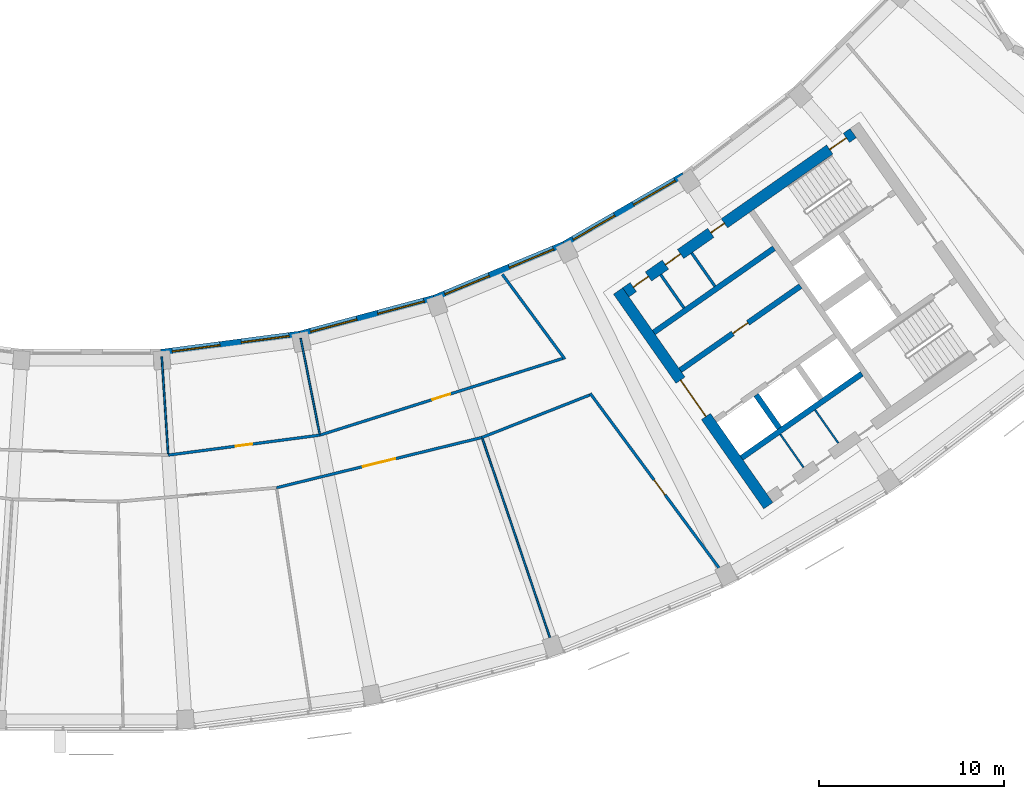
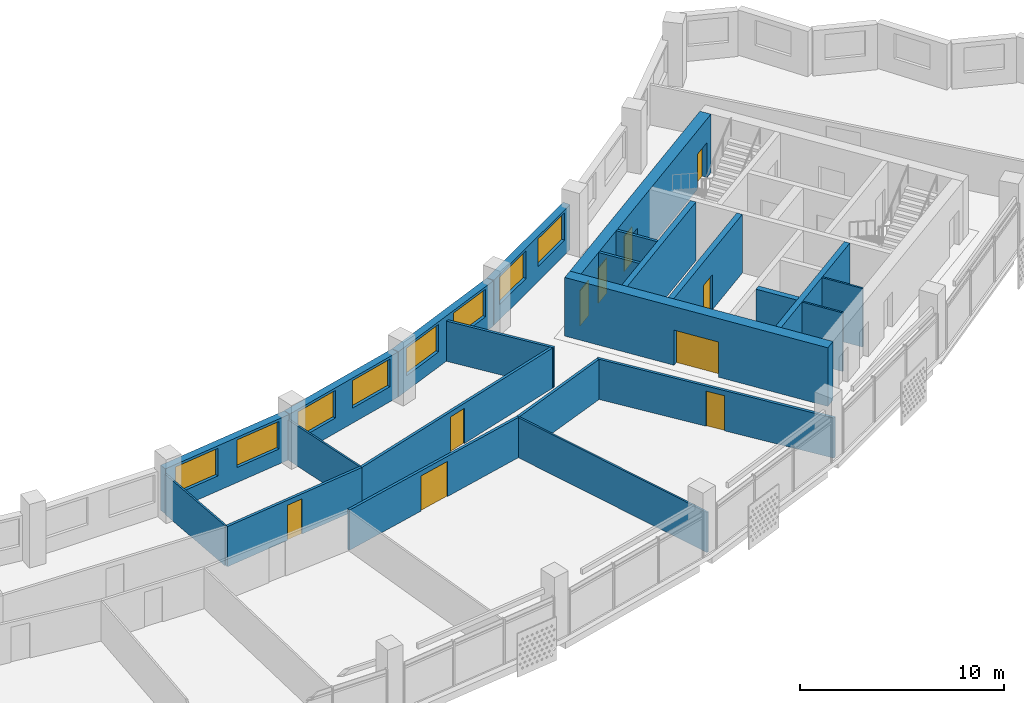
# One storey, part 6 of 28: 23 walls, 10 doors, 8 windows, 18 openings.
"""IFC4 building model written with IfcOpenShell, lengths in metres."""

from ifc_helpers import new_model, si_unit, direction, frame, frame_2d, origin, place, context, subcontext, project, spatial, rectangle, extrude, material, layer, layer_set, type_object, element, fill, save


model = new_model("IFC4")

# Units and contexts
model_context = context("Model", 3, precision=1e-05, world=origin(), true_north=direction((0.0, 1.0)))
body_context = subcontext(model_context, "Body", "Model", "MODEL_VIEW")
ifc_project = project(units=[si_unit("LENGTHUNIT", "METRE"), si_unit("AREAUNIT", "SQUARE_METRE"), si_unit("VOLUMEUNIT", "CUBIC_METRE"), si_unit("PLANEANGLEUNIT", "RADIAN"), si_unit("MASSUNIT", "GRAM", prefix="KILO")], contexts=[model_context])

# Site, building, storey
site_placement = place(None, origin())
site = spatial("IfcSite", under=ifc_project, at=site_placement, CompositionType="ELEMENT")
building_placement = place(site_placement, origin())
building = spatial("IfcBuilding", under=site, at=building_placement, Name="Qamariyya Broadcast Tower", CompositionType="ELEMENT")
storey_placement = place(building_placement, frame((0.0, 0.0, 277.10009765625)))
storey = spatial("IfcBuildingStorey", under=building, at=storey_placement, Name="L67", CompositionType="ELEMENT", Elevation=277.10009765625)

# Wall, opening, door
ifc_material_1 = material(Name="Concrete C60/75", Category="concrete")
ifc_layer_1 = layer(ifc_material_1, 0.60009765625)
ifc_layer_set_1 = layer_set([ifc_layer_1], Name="Core wall 600 mm Concrete C60/75")
wall_type_1 = type_object("IfcWallType", Name="Core wall 600 mm Concrete C60/75", PredefinedType="SHEAR", material=ifc_layer_set_1)
wall_1_placement = place(storey_placement, frame((36.66748046875, -66.005126953125, 0.0), z_axis=(0.0, 0.0, 1.0), x_axis=(-0.573568499524, 0.819157601658, 0.0)))
wall_1 = element("IfcWall", 1, at=wall_1_placement, inside=storey, type_object=wall_type_1, Name="k-E-L67-WA", PredefinedType="SHEAR", context=body_context, shape_type="SweptSolid", body=[
    extrude(rectangle(XDim=14.19970703125, YDim=0.60009765625, at=frame_2d((7.099853515625, 0.0))), origin(), (0.0, 0.0, 1.0), 3.5),
])
opening_1_placement = place(wall_1_placement, frame((5.89990234375, 0.0, 0.0)))
opening_1 = element("IfcOpeningElement", 2, at=opening_1_placement, cuts=wall_1, Name="Opening KD3-E1", PredefinedType="OPENING", context=body_context, shape_type="SweptSolid", body=[
    extrude(rectangle(XDim=2.39990234375, YDim=2.10009765625, at=frame_2d((1.199951171875, 1.050048828125))), frame((0.0, 0.31005859375, 0.0), z_axis=(0.0, -1.0, 0.0), x_axis=(1.0, 0.0, 0.0)), (0.0, 0.0, 1.0), 0.6201171875),
])
ifc_material_2 = material(Name="Steel fire-resisting door leaf", Category="steel")
door_type_1 = type_object("IfcDoorType", Name="Lift lobby door KD3", OperationType="DOUBLE_DOOR_SINGLE_SWING", PredefinedType="DOOR", material=ifc_material_2)
door_1_placement = place(opening_1_placement, origin())
door_1 = element("IfcDoor", 3, at=door_1_placement, inside=storey, type_object=door_type_1, Name="k-E-L67-WA-D1", OperationType="DOUBLE_DOOR_SINGLE_SWING", OverallHeight=2.10009765625, OverallWidth=2.39990234375, PredefinedType="DOOR", context=body_context, shape_type="SweptSolid", body=[
    extrude(rectangle(XDim=2.39990234375, YDim=2.10009765625, at=frame_2d((1.199951171875, 1.050048828125))), frame((0.0, 0.02490234375, 0.0), z_axis=(0.0, -1.0, 0.0), x_axis=(1.0, 0.0, 0.0)), (0.0, 0.0, 1.0), 0.050048828125),
])
fill(opening_1, door_1)

# Wall, openings, doors
wall_2_placement = place(storey_placement, frame((28.940673828125, -54.447021484375, 0.0), z_axis=(0.0, 0.0, 1.0), x_axis=(0.819153391756, 0.573574511963, 0.0)))
wall_2 = element("IfcWall", 4, at=wall_2_placement, inside=storey, type_object=wall_type_1, Name="k-E-L67-WI", PredefinedType="SHEAR", context=body_context, shape_type="SweptSolid", body=[
    extrude(rectangle(XDim=15.04541015625, YDim=0.60009765625, at=frame_2d((7.522705078125, 0.0))), origin(), (0.0, 0.0, 1.0), 3.5),
])
opening_2_placement = place(wall_2_placement, frame((0.5, 0.0, 0.0)))
opening_2 = element("IfcOpeningElement", 5, at=opening_2_placement, cuts=wall_2, Name="Opening KD6-E2", PredefinedType="OPENING", context=body_context, shape_type="SweptSolid", body=[
    extrude(rectangle(XDim=1.0, YDim=2.10009765625, at=frame_2d((0.5, 1.050048828125))), frame((0.0, 0.31005859375, 0.0), z_axis=(0.0, -1.0, 0.0), x_axis=(1.0, 0.0, 0.0)), (0.0, 0.0, 1.0), 0.6201171875),
])
opening_3_placement = place(wall_2_placement, frame((2.625, 0.0, 0.0)))
opening_3 = element("IfcOpeningElement", 6, at=opening_3_placement, cuts=wall_2, Name="Opening KD7-E1", PredefinedType="OPENING", context=body_context, shape_type="SweptSolid", body=[
    extrude(rectangle(XDim=1.0, YDim=2.10009765625, at=frame_2d((0.5, 1.050048828125))), frame((0.0, 0.31005859375, 0.0), z_axis=(0.0, -1.0, 0.0), x_axis=(1.0, 0.0, 0.0)), (0.0, 0.0, 1.0), 0.6201171875),
])
opening_4_placement = place(wall_2_placement, frame((5.625, 0.0, 0.0)))
opening_4 = element("IfcOpeningElement", 7, at=opening_4_placement, cuts=wall_2, Name="Opening KD5-E1", PredefinedType="OPENING", context=body_context, shape_type="SweptSolid", body=[
    extrude(rectangle(XDim=0.89990234375, YDim=2.10009765625, at=frame_2d((0.449951171875, 1.050048828125))), frame((0.0, 0.31005859375, 0.0), z_axis=(0.0, -1.0, 0.0), x_axis=(1.0, 0.0, 0.0)), (0.0, 0.0, 1.0), 0.6201171875),
])
opening_5_placement = place(wall_2_placement, frame((13.495361328125, 0.0, 0.0)))
opening_5 = element("IfcOpeningElement", 8, at=opening_5_placement, cuts=wall_2, Name="Opening KD1-E1", PredefinedType="OPENING", context=body_context, shape_type="SweptSolid", body=[
    extrude(rectangle(XDim=1.10009765625, YDim=2.10009765625, at=frame_2d((0.550048828125, 1.050048828125))), frame((0.0, 0.31005859375, 0.0), z_axis=(0.0, -1.0, 0.0), x_axis=(1.0, 0.0, 0.0)), (0.0, 0.0, 1.0), 0.6201171875),
])
door_type_2 = type_object("IfcDoorType", Name="Accessible toilet door KD7", OperationType="SINGLE_SWING_LEFT", PredefinedType="DOOR", material=ifc_material_2)
door_2_placement = place(opening_3_placement, origin())
door_2 = element("IfcDoor", 9, at=door_2_placement, inside=storey, type_object=door_type_2, Name="k-E-L67-WI-D6", OperationType="SINGLE_SWING_RIGHT", OverallHeight=2.10009765625, OverallWidth=1.0, PredefinedType="DOOR", context=body_context, shape_type="SweptSolid", body=[
    extrude(rectangle(XDim=1.0, YDim=2.10009765625, at=frame_2d((0.5, 1.050048828125))), frame((0.0, 0.02490234375, 0.0), z_axis=(0.0, -1.0, 0.0), x_axis=(1.0, 0.0, 0.0)), (0.0, 0.0, 1.0), 0.050048828125),
])
fill(opening_3, door_2)
door_type_3 = type_object("IfcDoorType", Name="Core room door KD6", OperationType="SINGLE_SWING_LEFT", PredefinedType="DOOR", material=ifc_material_2)
door_3_placement = place(opening_2_placement, origin())
door_3 = element("IfcDoor", 10, at=door_3_placement, inside=storey, type_object=door_type_3, Name="k-E-L67-WI-D5", OperationType="SINGLE_SWING_LEFT", OverallHeight=2.10009765625, OverallWidth=1.0, PredefinedType="DOOR", context=body_context, shape_type="SweptSolid", body=[
    extrude(rectangle(XDim=1.0, YDim=2.10009765625, at=frame_2d((0.5, 1.050048828125))), frame((0.0, 0.02490234375, 0.0), z_axis=(0.0, -1.0, 0.0), x_axis=(1.0, 0.0, 0.0)), (0.0, 0.0, 1.0), 0.050048828125),
])
fill(opening_2, door_3)
door_type_4 = type_object("IfcDoorType", Name="Stair door KD1", OperationType="SINGLE_SWING_LEFT", PredefinedType="DOOR", material=ifc_material_2)
door_4_placement = place(opening_5_placement, origin())
door_4 = element("IfcDoor", 11, at=door_4_placement, inside=storey, type_object=door_type_4, Name="k-E-L67-WI-D14", OperationType="SINGLE_SWING_RIGHT", OverallHeight=2.10009765625, OverallWidth=1.10009765625, PredefinedType="DOOR", context=body_context, shape_type="SweptSolid", body=[
    extrude(rectangle(XDim=1.10009765625, YDim=2.10009765625, at=frame_2d((0.550048828125, 1.050048828125))), frame((0.0, 0.02490234375, 0.0), z_axis=(0.0, -1.0, 0.0), x_axis=(1.0, 0.0, 0.0)), (0.0, 0.0, 1.0), 0.050048828125),
])
fill(opening_5, door_4)
door_type_5 = type_object("IfcDoorType", Name="Toilet door KD5", OperationType="SINGLE_SWING_LEFT", PredefinedType="DOOR", material=ifc_material_2)
door_5_placement = place(opening_4_placement, origin())
door_5 = element("IfcDoor", 12, at=door_5_placement, inside=storey, type_object=door_type_5, Name="k-E-L67-WI-D7", OperationType="SINGLE_SWING_LEFT", OverallHeight=2.10009765625, OverallWidth=0.89990234375, PredefinedType="DOOR", context=body_context, shape_type="SweptSolid", body=[
    extrude(rectangle(XDim=0.89990234375, YDim=2.10009765625, at=frame_2d((0.449951171875, 1.050048828125))), frame((0.0, 0.02490234375, 0.0), z_axis=(0.0, -1.0, 0.0), x_axis=(1.0, 0.0, 0.0)), (0.0, 0.0, 1.0), 0.050048828125),
])
fill(opening_4, door_5)

# Wall, opening, door
ifc_material_3 = material(Name="Gypsum board partition")
ifc_layer_2 = layer(ifc_material_3, 0.14990234375)
ifc_layer_set_2 = layer_set([ifc_layer_2], Name="Corridor partition 150 EI 60")
wall_type_2 = type_object("IfcWallType", Name="Corridor partition 150 EI 60", PredefinedType="PARTITIONING", material=ifc_layer_set_2)
wall_3_placement = place(storey_placement, frame((4.146484375, -63.26416015625, 0.0), z_axis=(0.0, 0.0, 1.0), x_axis=(0.991447881484, 0.130503250152, 0.0)))
wall_3 = element("IfcWall", 13, at=wall_3_placement, inside=storey, type_object=wall_type_2, Name="Partition L67-019", PredefinedType="PARTITIONING", context=body_context, shape_type="SweptSolid", body=[
    extrude(rectangle(XDim=8.293212890625, YDim=0.14990234375, at=frame_2d((4.146484375, 0.0))), origin(), (0.0, 0.0, 1.0), 2.39990234375),
])
opening_6_placement = place(wall_3_placement, frame((3.696533203125, 0.0, 0.0)))
opening_6 = element("IfcOpeningElement", 14, at=opening_6_placement, cuts=wall_3, Name="Opening L67-D11", PredefinedType="OPENING", context=body_context, shape_type="SweptSolid", body=[
    extrude(rectangle(XDim=0.89990234375, YDim=2.10009765625, at=frame_2d((0.449951171875, 1.050048828125))), frame((0.0, 0.0849609375, 0.0), z_axis=(0.0, -1.0, 0.0), x_axis=(1.0, 0.0, 0.0)), (0.0, 0.0, 1.0), 0.169921875),
])
ifc_material_4 = material(Name="Timber fire door leaf", Category="wood")
door_type_6 = type_object("IfcDoorType", Name="Fire door 900 x 2100 FD60", OperationType="NOTDEFINED", PredefinedType="DOOR", material=ifc_material_4)
door_6_placement = place(opening_6_placement, origin())
door_6 = element("IfcDoor", 15, at=door_6_placement, inside=storey, type_object=door_type_6, Name="Door L67-D11", OperationType="SINGLE_SWING_RIGHT", OverallHeight=2.10009765625, OverallWidth=0.89990234375, PredefinedType="DOOR", context=body_context, shape_type="SweptSolid", body=[
    extrude(rectangle(XDim=0.89990234375, YDim=2.10009765625, at=frame_2d((0.449951171875, 1.050048828125))), frame((0.0, 0.02490234375, 0.0), z_axis=(0.0, -1.0, 0.0), x_axis=(1.0, 0.0, 0.0)), (0.0, 0.0, 1.0), 0.050048828125),
])
fill(opening_6, door_6)

wall_4_placement = place(storey_placement, frame((21.150634765625, -62.30810546875, 0.0), z_axis=(0.0, 0.0, 1.0), x_axis=(-0.971340158638, -0.23769370252, 0.0)))
wall_4 = element("IfcWall", 16, at=wall_4_placement, inside=storey, type_object=wall_type_2, Name="Partition L67-020", PredefinedType="PARTITIONING", context=body_context, shape_type="SweptSolid", body=[
    extrude(rectangle(XDim=11.4677734375, YDim=0.14990234375, at=frame_2d((5.73388671875, 0.0))), origin(), (0.0, 0.0, 1.0), 2.39990234375),
])
opening_7_placement = place(wall_4_placement, frame((4.833984375, 0.0, 0.0)))
opening_7 = element("IfcOpeningElement", 17, at=opening_7_placement, cuts=wall_4, Name="Opening L67-D06", PredefinedType="OPENING", context=body_context, shape_type="SweptSolid", body=[
    extrude(rectangle(XDim=1.800048828125, YDim=2.10009765625, at=frame_2d((0.89990234375, 1.050048828125))), frame((0.0, 0.0849609375, 0.0), z_axis=(0.0, -1.0, 0.0), x_axis=(1.0, 0.0, 0.0)), (0.0, 0.0, 1.0), 0.169921875),
])
door_type_7 = type_object("IfcDoorType", Name="Double fire door 1800 x 2100 FD60", OperationType="NOTDEFINED", PredefinedType="DOOR", material=ifc_material_4)
door_7_placement = place(opening_7_placement, origin())
door_7 = element("IfcDoor", 18, at=door_7_placement, inside=storey, type_object=door_type_7, Name="Door L67-D06", OperationType="DOUBLE_DOOR_SINGLE_SWING", OverallHeight=2.10009765625, OverallWidth=1.800048828125, PredefinedType="DOOR", context=body_context, shape_type="SweptSolid", body=[
    extrude(rectangle(XDim=1.800048828125, YDim=2.10009765625, at=frame_2d((0.89990234375, 1.050048828125))), frame((0.0, 0.02490234375, 0.0), z_axis=(0.0, -1.0, 0.0), x_axis=(1.0, 0.0, 0.0)), (0.0, 0.0, 1.0), 0.050048828125),
])
fill(opening_7, door_7)

wall_5_placement = place(storey_placement, frame((12.36865234375, -62.181884765625, 0.0), z_axis=(0.0, 0.0, 1.0), x_axis=(0.953549502203, 0.301236363754, 0.0)))
wall_5 = element("IfcWall", 19, at=wall_5_placement, inside=storey, type_object=wall_type_2, Name="Partition L67-023", PredefinedType="PARTITIONING", context=body_context, shape_type="SweptSolid", body=[
    extrude(rectangle(XDim=13.798828125, YDim=0.14990234375, at=frame_2d((6.8994140625, 0.0))), origin(), (0.0, 0.0, 1.0), 2.39990234375),
])
opening_8_placement = place(wall_5_placement, frame((6.3994140625, 0.0, 0.0)))
opening_8 = element("IfcOpeningElement", 20, at=opening_8_placement, cuts=wall_5, Name="Opening L67-D12", PredefinedType="OPENING", context=body_context, shape_type="SweptSolid", body=[
    extrude(rectangle(XDim=1.0, YDim=2.10009765625, at=frame_2d((0.5, 1.050048828125))), frame((0.0, 0.0849609375, 0.0), z_axis=(0.0, -1.0, 0.0), x_axis=(1.0, 0.0, 0.0)), (0.0, 0.0, 1.0), 0.169921875),
])
door_type_8 = type_object("IfcDoorType", Name="Fire door 1000 x 2100 FD60", OperationType="NOTDEFINED", PredefinedType="DOOR", material=ifc_material_4)
door_8_placement = place(opening_8_placement, origin())
door_8 = element("IfcDoor", 21, at=door_8_placement, inside=storey, type_object=door_type_8, Name="Door L67-D12", OperationType="SINGLE_SWING_RIGHT", OverallHeight=2.10009765625, OverallWidth=1.0, PredefinedType="DOOR", context=body_context, shape_type="SweptSolid", body=[
    extrude(rectangle(XDim=1.0, YDim=2.10009765625, at=frame_2d((0.5, 1.050048828125))), frame((0.0, 0.02490234375, 0.0), z_axis=(0.0, -1.0, 0.0), x_axis=(1.0, 0.0, 0.0)), (0.0, 0.0, 1.0), 0.050048828125),
])
fill(opening_8, door_8)

# Walls
wall_6_placement = place(storey_placement, frame((21.150634765625, -62.30810546875, 0.0), z_axis=(0.0, 0.0, 1.0), x_axis=(0.930319497785, 0.366750094806, 0.0)))
element("IfcWall", 22, at=wall_6_placement, inside=storey, type_object=wall_type_2, Name="Partition L67-024", PredefinedType="PARTITIONING", context=body_context, shape_type="SweptSolid", body=[
    extrude(rectangle(XDim=6.274169921875, YDim=0.14990234375, at=frame_2d((3.13720703125, 0.0))), origin(), (0.0, 0.0, 1.0), 2.39990234375),
])
wall_7_placement = place(storey_placement, frame((22.251953125, -53.469482421875, 0.0), z_axis=(0.0, 0.0, 1.0), x_axis=(0.593872728047, -0.804558999006, 0.0)))
element("IfcWall", 23, at=wall_7_placement, inside=storey, type_object=wall_type_2, Name="Partition L67-025", PredefinedType="PARTITIONING", context=body_context, shape_type="SweptSolid", body=[
    extrude(rectangle(XDim=5.709228515625, YDim=0.14990234375, at=frame_2d((2.8544921875, 0.0))), origin(), (0.0, 0.0, 1.0), 2.39990234375),
])

# Wall, opening, door
wall_8_placement = place(storey_placement, frame((34.534423828125, -70.109130859375, 0.0), z_axis=(0.0, 0.0, 1.0), x_axis=(-0.593869528805, 0.804561360467, 0.0)))
wall_8 = element("IfcWall", 24, at=wall_8_placement, inside=storey, type_object=wall_type_2, Name="Partition L67-027", PredefinedType="PARTITIONING", context=body_context, shape_type="SweptSolid", body=[
    extrude(rectangle(XDim=12.665283203125, YDim=0.14990234375, at=frame_2d((6.33251953125, 0.0))), origin(), (0.0, 0.0, 1.0), 2.39990234375),
])
opening_9_placement = place(wall_8_placement, frame((5.832763671875, 0.0, 0.0)))
opening_9 = element("IfcOpeningElement", 25, at=opening_9_placement, cuts=wall_8, Name="Opening L67-D07", PredefinedType="OPENING", context=body_context, shape_type="SweptSolid", body=[
    extrude(rectangle(XDim=1.0, YDim=2.10009765625, at=frame_2d((0.5, 1.050048828125))), frame((0.0, 0.0849609375, 0.0), z_axis=(0.0, -1.0, 0.0), x_axis=(1.0, 0.0, 0.0)), (0.0, 0.0, 1.0), 0.169921875),
])
door_9_placement = place(opening_9_placement, origin())
door_9 = element("IfcDoor", 26, at=door_9_placement, inside=storey, type_object=door_type_8, Name="Door L67-D07", OperationType="SINGLE_SWING_RIGHT", OverallHeight=2.10009765625, OverallWidth=1.0, PredefinedType="DOOR", context=body_context, shape_type="SweptSolid", body=[
    extrude(rectangle(XDim=1.0, YDim=2.10009765625, at=frame_2d((0.5, 1.050048828125))), frame((0.0, 0.02490234375, 0.0), z_axis=(0.0, -1.0, 0.0), x_axis=(1.0, 0.0, 0.0)), (0.0, 0.0, 1.0), 0.050048828125),
])
fill(opening_9, door_9)

# Walls
ifc_material_5 = material(Name="Gypsum board partition on steel studs", Category="steel")
ifc_layer_3 = layer(ifc_material_5, 0.14990234375)
ifc_layer_set_3 = layer_set([ifc_layer_3], Name="Gypsum board partition 150 mm")
wall_type_3 = type_object("IfcWallType", Name="Gypsum board partition 150 mm", PredefinedType="PARTITIONING", material=ifc_layer_set_3)
wall_9_placement = place(storey_placement, frame((32.0947265625, -55.290283203125, 0.0), z_axis=(0.0, 0.0, 1.0), x_axis=(-0.573559170999, 0.819164133348, 0.0)))
element("IfcWall", 27, at=wall_9_placement, inside=storey, type_object=wall_type_3, Name="k-E-L67-NP210", PredefinedType="PARTITIONING", context=body_context, shape_type="SweptSolid", body=[
    extrude(rectangle(XDim=2.19970703125, YDim=0.14990234375, at=frame_2d((1.099853515625, 0.0))), origin(), (0.0, 0.0, 1.0), 3.5),
])
wall_10_placement = place(storey_placement, frame((33.774169921875, -54.114501953125, 0.0), z_axis=(0.0, 0.0, 1.0), x_axis=(-0.573581496053, 0.819148501424, 0.0)))
element("IfcWall", 28, at=wall_10_placement, inside=storey, type_object=wall_type_3, Name="k-E-L67-NP415", PredefinedType="PARTITIONING", context=body_context, shape_type="SweptSolid", body=[
    extrude(rectangle(XDim=2.2001953125, YDim=0.14990234375, at=frame_2d((1.10009765625, 0.0))), origin(), (0.0, 0.0, 1.0), 3.5),
])

# Wall, opening, door
ifc_layer_4 = layer(ifc_material_1, 0.300048828125)
ifc_layer_set_4 = layer_set([ifc_layer_4], Name="Lift shaft wall 300 mm Concrete C60/75")
wall_type_4 = type_object("IfcWallType", Name="Lift shaft wall 300 mm Concrete C60/75", PredefinedType="SOLIDWALL", material=ifc_layer_set_4)
wall_11_placement = place(storey_placement, frame((31.89453125, -58.66552734375, 0.0), z_axis=(0.0, 0.0, 1.0), x_axis=(0.819166993208, 0.573555086491, 0.0)))
wall_11 = element("IfcWall", 29, at=wall_11_placement, inside=storey, type_object=wall_type_4, Name="k-E-L67-NF0", PredefinedType="SOLIDWALL", context=body_context, shape_type="SweptSolid", body=[
    extrude(rectangle(XDim=7.9501953125, YDim=0.300048828125, at=frame_2d((3.97509765625, 0.0))), origin(), (0.0, 0.0, 1.0), 3.5),
])
opening_10_placement = place(wall_11_placement, frame((3.47509765625, 0.0, 0.0)))
opening_10 = element("IfcOpeningElement", 30, at=opening_10_placement, cuts=wall_11, Name="Opening KD6-E1", PredefinedType="OPENING", context=body_context, shape_type="SweptSolid", body=[
    extrude(rectangle(XDim=1.0, YDim=2.10009765625, at=frame_2d((0.5, 1.050048828125))), frame((0.0, 0.159912109375, 0.0), z_axis=(0.0, -1.0, 0.0), x_axis=(1.0, 0.0, 0.0)), (0.0, 0.0, 1.0), 0.320068359375),
])
door_10_placement = place(opening_10_placement, origin())
door_10 = element("IfcDoor", 31, at=door_10_placement, inside=storey, type_object=door_type_3, Name="k-E-L67-NF0-D2", OperationType="SINGLE_SWING_RIGHT", OverallHeight=2.10009765625, OverallWidth=1.0, PredefinedType="DOOR", context=body_context, shape_type="SweptSolid", body=[
    extrude(rectangle(XDim=1.0, YDim=2.10009765625, at=frame_2d((0.5, 1.050048828125))), frame((0.0, 0.02490234375, 0.0), z_axis=(0.0, -1.0, 0.0), x_axis=(1.0, 0.0, 0.0)), (0.0, 0.0, 1.0), 0.050048828125),
])
fill(opening_10, door_10)

# Walls
wall_12_placement = place(storey_placement, frame((30.460693359375, -56.61767578125, 0.0), z_axis=(0.0, 0.0, 1.0), x_axis=(0.819142461705, 0.573590121456, 0.0)))
element("IfcWall", 32, at=wall_12_placement, inside=storey, type_object=wall_type_4, Name="k-E-L67-NB0", PredefinedType="SOLIDWALL", context=body_context, shape_type="SweptSolid", body=[
    extrude(rectangle(XDim=7.949951171875, YDim=0.300048828125, at=frame_2d((3.97509765625, 0.0))), origin(), (0.0, 0.0, 1.0), 3.5),
])
wall_13_placement = place(storey_placement, frame((35.22119140625, -63.41650390625, 0.0), z_axis=(0.0, 0.0, 1.0), x_axis=(0.819166993208, 0.573555086491, 0.0)))
element("IfcWall", 33, at=wall_13_placement, inside=storey, type_object=wall_type_4, Name="k-E-L67-SB0", PredefinedType="SOLIDWALL", context=body_context, shape_type="SweptSolid", body=[
    extrude(rectangle(XDim=7.9501953125, YDim=0.300048828125, at=frame_2d((3.97509765625, 0.0))), origin(), (0.0, 0.0, 1.0), 3.5),
])
wall_14_placement = place(storey_placement, frame((36.003173828125, -60.000244140625, 0.0), z_axis=(0.0, 0.0, 1.0), x_axis=(0.573581496053, -0.819148501424, 0.0)))
element("IfcWall", 34, at=wall_14_placement, inside=storey, type_object=wall_type_4, Name="k-E-L67-SD0", PredefinedType="SOLIDWALL", context=body_context, shape_type="SweptSolid", body=[
    extrude(rectangle(XDim=2.2001953125, YDim=0.300048828125, at=frame_2d((1.10009765625, 0.0))), origin(), (0.0, 0.0, 1.0), 3.5),
])
ifc_layer_5 = layer(ifc_material_3, 0.10009765625)
ifc_layer_set_5 = layer_set([ifc_layer_5], Name="Partition 100")
wall_type_5 = type_object("IfcWallType", Name="Partition 100", PredefinedType="PARTITIONING", material=ifc_layer_set_5)
for number, where, z_axis, x_axis, name in (
    (35, (3.796630859375, -57.92578125, 0.0), (0.0, 0.0, 1.0), (0.065397734607, -0.997859276806, 0.0), "Partition L67-018"),
    (36, (11.324951171875, -56.9345703125, 0.0), (0.0, 0.0, 1.0), (0.195083555743, -0.980786626274, 0.0), "Partition L67-021"),
):
    element("IfcWall", number, at=place(storey_placement, frame(where, z_axis=z_axis, x_axis=x_axis)), inside=storey, type_object=wall_type_5, Name=name, PredefinedType="PARTITIONING", context=body_context, shape_type="SweptSolid", body=[
        extrude(rectangle(XDim=5.27490234375, YDim=0.10009765625, at=frame_2d((2.637451171875, 0.0))), origin(), (0.0, 0.0, 1.0), 2.39990234375),
    ])
wall_15_placement = place(storey_placement, frame((25.12060546875, -74.002685546875, 0.0), z_axis=(0.0, 0.0, 1.0), x_axis=(-0.321443803948, 0.946928656712, 0.0)))
element("IfcWall", 37, at=wall_15_placement, inside=storey, type_object=wall_type_5, Name="Partition L67-026", PredefinedType="PARTITIONING", context=body_context, shape_type="SweptSolid", body=[
    extrude(rectangle(XDim=12.275146484375, YDim=0.10009765625, at=frame_2d((6.1376953125, 0.0))), origin(), (0.0, 0.0, 1.0), 2.39990234375),
])
ifc_material_6 = material(Name="Fire-rated gypsum shaft liner on steel studs", Category="steel")
ifc_layer_6 = layer(ifc_material_6, 0.10009765625)
ifc_layer_set_6 = layer_set([ifc_layer_6], Name="Riser wall 100 mm")
wall_type_6 = type_object("IfcWallType", Name="Riser wall 100 mm", PredefinedType="PLUMBINGWALL", material=ifc_layer_set_6)
wall_16_placement = place(storey_placement, frame((37.314208984375, -62.13427734375, 0.0), z_axis=(0.0, 0.0, 1.0), x_axis=(0.573633636671, -0.819111989218, 0.0)))
element("IfcWall", 38, at=wall_16_placement, inside=storey, type_object=wall_type_6, Name="k-E-L67-SP245", PredefinedType="PLUMBINGWALL", context=body_context, shape_type="SweptSolid", body=[
    extrude(rectangle(XDim=2.199951171875, YDim=0.10009765625, at=frame_2d((1.10009765625, 0.0))), origin(), (0.0, 0.0, 1.0), 3.5),
])
wall_17_placement = place(storey_placement, frame((39.1982421875, -60.81494140625, 0.0), z_axis=(0.0, 0.0, 1.0), x_axis=(0.573581496053, -0.819148501424, 0.0)))
element("IfcWall", 39, at=wall_17_placement, inside=storey, type_object=wall_type_6, Name="k-E-L67-SP475", PredefinedType="PLUMBINGWALL", context=body_context, shape_type="SweptSolid", body=[
    extrude(rectangle(XDim=2.2001953125, YDim=0.10009765625, at=frame_2d((1.10009765625, 0.0))), origin(), (0.0, 0.0, 1.0), 3.5),
])

# Wall, openings, windows
ifc_material_7 = material(Name="Terracotta", Category="masonry")
ifc_layer_7 = layer(ifc_material_7, 0.39990234375)
ifc_layer_set_7 = layer_set([ifc_layer_7], Name="Terracotta clad wall 400")
wall_type_7 = type_object("IfcWallType", Name="Terracotta clad wall 400", PredefinedType="SOLIDWALL", material=ifc_layer_set_7)
wall_18_placement = place(storey_placement, frame((25.609619140625, -51.875, 0.0), z_axis=(0.0, 0.0, 1.0), x_axis=(-0.923887531937, -0.382664119472, 0.0)))
wall_18 = element("IfcWall", 40, at=wall_18_placement, inside=storey, type_object=wall_type_7, Name="e-wl-L67-in100", PredefinedType="SOLIDWALL", context=body_context, shape_type="SweptSolid", body=[
    extrude(rectangle(XDim=7.6171875, YDim=0.39990234375, at=frame_2d((3.80859375, 0.0))), origin(), (0.0, 0.0, 1.0), 2.699951171875),
])
opening_11_placement = place(wall_18_placement, frame((4.393798828125, 0.0, 0.89990234375)))
opening_11 = element("IfcOpeningElement", 41, at=opening_11_placement, cuts=wall_18, Name="Opening W1", PredefinedType="OPENING", context=body_context, shape_type="SweptSolid", body=[
    extrude(rectangle(XDim=2.60009765625, YDim=1.64990234375, at=frame_2d((1.300048828125, 0.824951171875))), frame((0.0, 0.2099609375, 0.0), z_axis=(0.0, -1.0, 0.0), x_axis=(1.0, 0.0, 0.0)), (0.0, 0.0, 1.0), 0.419921875),
])
opening_12_placement = place(wall_18_placement, frame((0.623291015625, 0.0, 0.89990234375)))
opening_12 = element("IfcOpeningElement", 42, at=opening_12_placement, cuts=wall_18, Name="Opening W1", PredefinedType="OPENING", context=body_context, shape_type="SweptSolid", body=[
    extrude(rectangle(XDim=2.60009765625, YDim=1.64990234375, at=frame_2d((1.300048828125, 0.824951171875))), frame((0.0, 0.2099609375, 0.0), z_axis=(0.0, -1.0, 0.0), x_axis=(1.0, 0.0, 0.0)), (0.0, 0.0, 1.0), 0.419921875),
])
ifc_material_8 = material(Name="Clear low-e double glazed unit in aluminium frame", Category="aluminium")
window_type = type_object("IfcWindowType", Name="Ribbon window 2600 x 1650", PartitioningType="SINGLE_PANEL", PredefinedType="WINDOW", material=ifc_material_8)
window_1_placement = place(opening_11_placement, origin())
window_1 = element("IfcWindow", 43, at=window_1_placement, inside=storey, type_object=window_type, Name="e-w-L67-in10-0", OverallHeight=1.64990234375, OverallWidth=2.60009765625, PartitioningType="SINGLE_PANEL", PredefinedType="WINDOW", context=body_context, shape_type="SweptSolid", body=[
    extrude(rectangle(XDim=2.60009765625, YDim=1.64990234375, at=frame_2d((1.300048828125, 0.824951171875))), frame((0.0, 0.030029296875, 0.0), z_axis=(0.0, -1.0, 0.0), x_axis=(1.0, 0.0, 0.0)), (0.0, 0.0, 1.0), 0.06005859375),
])
fill(opening_11, window_1)
window_2_placement = place(opening_12_placement, origin())
window_2 = element("IfcWindow", 44, at=window_2_placement, inside=storey, type_object=window_type, Name="e-w-L67-in10-1", OverallHeight=1.64990234375, OverallWidth=2.60009765625, PartitioningType="SINGLE_PANEL", PredefinedType="WINDOW", context=body_context, shape_type="SweptSolid", body=[
    extrude(rectangle(XDim=2.60009765625, YDim=1.64990234375, at=frame_2d((1.300048828125, 0.824951171875))), frame((0.0, 0.030029296875, 0.0), z_axis=(0.0, -1.0, 0.0), x_axis=(1.0, 0.0, 0.0)), (0.0, 0.0, 1.0), 0.06005859375),
])
fill(opening_12, window_2)

wall_19_placement = place(storey_placement, frame((32.095947265625, -48.126220703125, 0.0), z_axis=(0.0, 0.0, 1.0), x_axis=(-0.866016763373, -0.500014965334, 0.0)))
wall_19 = element("IfcWall", 45, at=wall_19_placement, inside=storey, type_object=wall_type_7, Name="e-wl-L67-in110", PredefinedType="SOLIDWALL", context=body_context, shape_type="SweptSolid", body=[
    extrude(rectangle(XDim=7.465576171875, YDim=0.39990234375, at=frame_2d((3.73291015625, 0.0))), origin(), (0.0, 0.0, 1.0), 2.699951171875),
])
opening_13_placement = place(wall_19_placement, frame((4.318115234375, 0.0, 0.89990234375)))
opening_13 = element("IfcOpeningElement", 46, at=opening_13_placement, cuts=wall_19, Name="Opening W1", PredefinedType="OPENING", context=body_context, shape_type="SweptSolid", body=[
    extrude(rectangle(XDim=2.60009765625, YDim=1.64990234375, at=frame_2d((1.300048828125, 0.824951171875))), frame((0.0, 0.2099609375, 0.0), z_axis=(0.0, -1.0, 0.0), x_axis=(1.0, 0.0, 0.0)), (0.0, 0.0, 1.0), 0.419921875),
])
opening_14_placement = place(wall_19_placement, frame((0.547607421875, 0.0, 0.89990234375)))
opening_14 = element("IfcOpeningElement", 47, at=opening_14_placement, cuts=wall_19, Name="Opening W1", PredefinedType="OPENING", context=body_context, shape_type="SweptSolid", body=[
    extrude(rectangle(XDim=2.60009765625, YDim=1.64990234375, at=frame_2d((1.300048828125, 0.824951171875))), frame((0.0, 0.2099609375, 0.0), z_axis=(0.0, -1.0, 0.0), x_axis=(1.0, 0.0, 0.0)), (0.0, 0.0, 1.0), 0.419921875),
])
window_3_placement = place(opening_13_placement, origin())
window_3 = element("IfcWindow", 48, at=window_3_placement, inside=storey, type_object=window_type, Name="e-w-L67-in11-0", OverallHeight=1.64990234375, OverallWidth=2.60009765625, PartitioningType="SINGLE_PANEL", PredefinedType="WINDOW", context=body_context, shape_type="SweptSolid", body=[
    extrude(rectangle(XDim=2.60009765625, YDim=1.64990234375, at=frame_2d((1.300048828125, 0.824951171875))), frame((0.0, 0.030029296875, 0.0), z_axis=(0.0, -1.0, 0.0), x_axis=(1.0, 0.0, 0.0)), (0.0, 0.0, 1.0), 0.06005859375),
])
fill(opening_13, window_3)
window_4_placement = place(opening_14_placement, origin())
window_4 = element("IfcWindow", 49, at=window_4_placement, inside=storey, type_object=window_type, Name="e-w-L67-in11-1", OverallHeight=1.64990234375, OverallWidth=2.60009765625, PartitioningType="SINGLE_PANEL", PredefinedType="WINDOW", context=body_context, shape_type="SweptSolid", body=[
    extrude(rectangle(XDim=2.60009765625, YDim=1.64990234375, at=frame_2d((1.300048828125, 0.824951171875))), frame((0.0, 0.030029296875, 0.0), z_axis=(0.0, -1.0, 0.0), x_axis=(1.0, 0.0, 0.0)), (0.0, 0.0, 1.0), 0.06005859375),
])
fill(opening_14, window_4)

wall_20_placement = place(storey_placement, frame((11.310791015625, -56.735595703125, 0.0), z_axis=(0.0, 0.0, 1.0), x_axis=(-0.991446548217, -0.130513378733, 0.0)))
wall_20 = element("IfcWall", 50, at=wall_20_placement, inside=storey, type_object=wall_type_7, Name="e-wl-L67-in80", PredefinedType="SOLIDWALL", context=body_context, shape_type="SweptSolid", body=[
    extrude(rectangle(XDim=7.6171875, YDim=0.39990234375, at=frame_2d((3.80859375, 0.0))), origin(), (0.0, 0.0, 1.0), 2.699951171875),
])
opening_15_placement = place(wall_20_placement, frame((4.393798828125, 0.0, 0.89990234375)))
opening_15 = element("IfcOpeningElement", 51, at=opening_15_placement, cuts=wall_20, Name="Opening W1", PredefinedType="OPENING", context=body_context, shape_type="SweptSolid", body=[
    extrude(rectangle(XDim=2.60009765625, YDim=1.64990234375, at=frame_2d((1.300048828125, 0.824951171875))), frame((0.0, 0.2099609375, 0.0), z_axis=(0.0, -1.0, 0.0), x_axis=(1.0, 0.0, 0.0)), (0.0, 0.0, 1.0), 0.419921875),
])
opening_16_placement = place(wall_20_placement, frame((0.623291015625, 0.0, 0.89990234375)))
opening_16 = element("IfcOpeningElement", 52, at=opening_16_placement, cuts=wall_20, Name="Opening W1", PredefinedType="OPENING", context=body_context, shape_type="SweptSolid", body=[
    extrude(rectangle(XDim=2.60009765625, YDim=1.64990234375, at=frame_2d((1.300048828125, 0.824951171875))), frame((0.0, 0.2099609375, 0.0), z_axis=(0.0, -1.0, 0.0), x_axis=(1.0, 0.0, 0.0)), (0.0, 0.0, 1.0), 0.419921875),
])
window_5_placement = place(opening_15_placement, origin())
window_5 = element("IfcWindow", 53, at=window_5_placement, inside=storey, type_object=window_type, Name="e-w-L67-in08-0", OverallHeight=1.64990234375, OverallWidth=2.60009765625, PartitioningType="SINGLE_PANEL", PredefinedType="WINDOW", context=body_context, shape_type="SweptSolid", body=[
    extrude(rectangle(XDim=2.60009765625, YDim=1.64990234375, at=frame_2d((1.300048828125, 0.824951171875))), frame((0.0, 0.030029296875, 0.0), z_axis=(0.0, -1.0, 0.0), x_axis=(1.0, 0.0, 0.0)), (0.0, 0.0, 1.0), 0.06005859375),
])
fill(opening_15, window_5)
window_6_placement = place(opening_16_placement, origin())
window_6 = element("IfcWindow", 54, at=window_6_placement, inside=storey, type_object=window_type, Name="e-w-L67-in08-1", OverallHeight=1.64990234375, OverallWidth=2.60009765625, PartitioningType="SINGLE_PANEL", PredefinedType="WINDOW", context=body_context, shape_type="SweptSolid", body=[
    extrude(rectangle(XDim=2.60009765625, YDim=1.64990234375, at=frame_2d((1.300048828125, 0.824951171875))), frame((0.0, 0.030029296875, 0.0), z_axis=(0.0, -1.0, 0.0), x_axis=(1.0, 0.0, 0.0)), (0.0, 0.0, 1.0), 0.06005859375),
])
fill(opening_16, window_6)

wall_21_placement = place(storey_placement, frame((18.54638671875, -54.79345703125, 0.0), z_axis=(0.0, 0.0, 1.0), x_axis=(-0.965923236695, -0.258828709406, 0.0)))
wall_21 = element("IfcWall", 55, at=wall_21_placement, inside=storey, type_object=wall_type_7, Name="e-wl-L67-in90", PredefinedType="SOLIDWALL", context=body_context, shape_type="SweptSolid", body=[
    extrude(rectangle(XDim=7.4658203125, YDim=0.39990234375, at=frame_2d((3.73291015625, 0.0))), origin(), (0.0, 0.0, 1.0), 2.699951171875),
])
opening_17_placement = place(wall_21_placement, frame((4.318115234375, 0.0, 0.89990234375)))
opening_17 = element("IfcOpeningElement", 56, at=opening_17_placement, cuts=wall_21, Name="Opening W1", PredefinedType="OPENING", context=body_context, shape_type="SweptSolid", body=[
    extrude(rectangle(XDim=2.60009765625, YDim=1.64990234375, at=frame_2d((1.300048828125, 0.824951171875))), frame((0.0, 0.2099609375, 0.0), z_axis=(0.0, -1.0, 0.0), x_axis=(1.0, 0.0, 0.0)), (0.0, 0.0, 1.0), 0.419921875),
])
opening_18_placement = place(wall_21_placement, frame((0.547607421875, 0.0, 0.89990234375)))
opening_18 = element("IfcOpeningElement", 57, at=opening_18_placement, cuts=wall_21, Name="Opening W1", PredefinedType="OPENING", context=body_context, shape_type="SweptSolid", body=[
    extrude(rectangle(XDim=2.60009765625, YDim=1.64990234375, at=frame_2d((1.300048828125, 0.824951171875))), frame((0.0, 0.2099609375, 0.0), z_axis=(0.0, -1.0, 0.0), x_axis=(1.0, 0.0, 0.0)), (0.0, 0.0, 1.0), 0.419921875),
])
window_7_placement = place(opening_17_placement, origin())
window_7 = element("IfcWindow", 58, at=window_7_placement, inside=storey, type_object=window_type, Name="e-w-L67-in09-0", OverallHeight=1.64990234375, OverallWidth=2.60009765625, PartitioningType="SINGLE_PANEL", PredefinedType="WINDOW", context=body_context, shape_type="SweptSolid", body=[
    extrude(rectangle(XDim=2.60009765625, YDim=1.64990234375, at=frame_2d((1.300048828125, 0.824951171875))), frame((0.0, 0.030029296875, 0.0), z_axis=(0.0, -1.0, 0.0), x_axis=(1.0, 0.0, 0.0)), (0.0, 0.0, 1.0), 0.06005859375),
])
fill(opening_17, window_7)
window_8_placement = place(opening_18_placement, origin())
window_8 = element("IfcWindow", 59, at=window_8_placement, inside=storey, type_object=window_type, Name="e-w-L67-in09-1", OverallHeight=1.64990234375, OverallWidth=2.60009765625, PartitioningType="SINGLE_PANEL", PredefinedType="WINDOW", context=body_context, shape_type="SweptSolid", body=[
    extrude(rectangle(XDim=2.60009765625, YDim=1.64990234375, at=frame_2d((1.300048828125, 0.824951171875))), frame((0.0, 0.030029296875, 0.0), z_axis=(0.0, -1.0, 0.0), x_axis=(1.0, 0.0, 0.0)), (0.0, 0.0, 1.0), 0.06005859375),
])
fill(opening_18, window_8)

save(model, "model.ifc")
